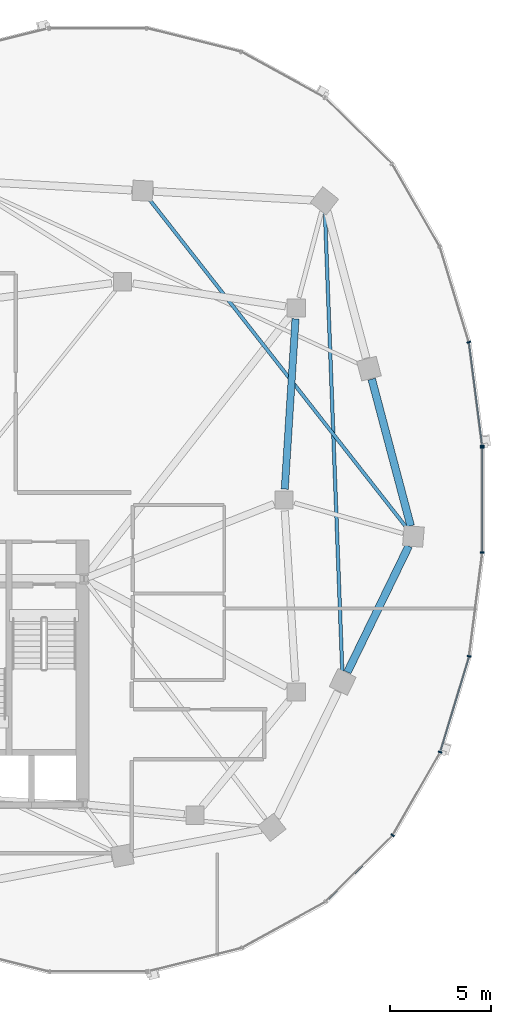
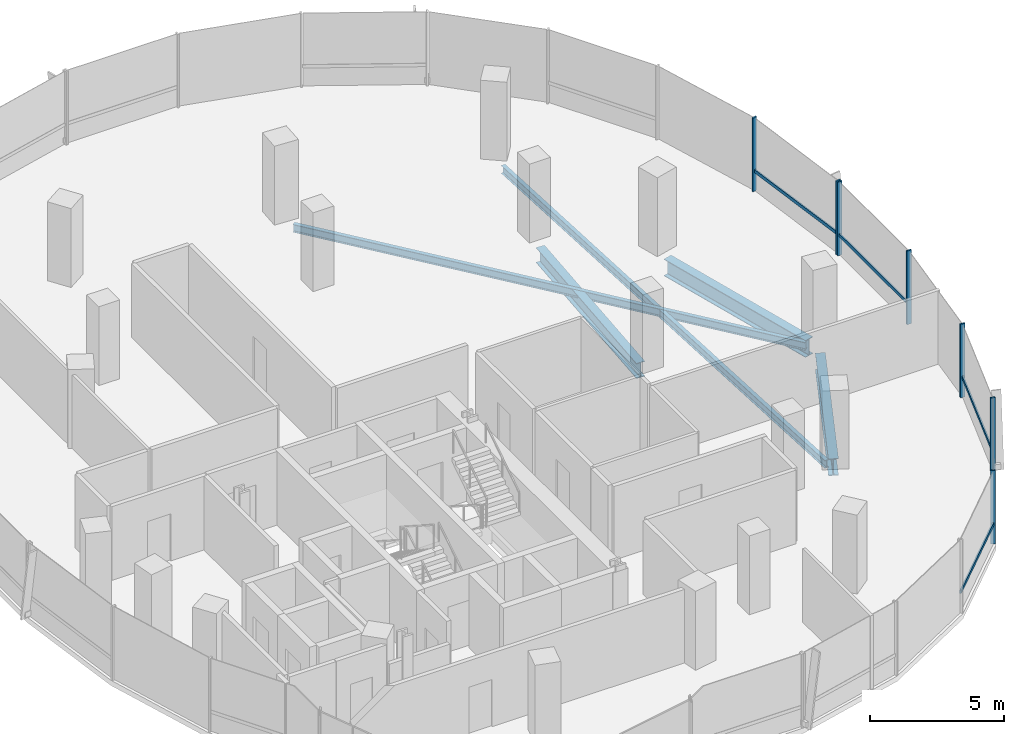
# One storey, part 8 of 22: 11 members, 5 beams, 2 elements without a shape of their own.
"""IFC4 building model written with IfcOpenShell, lengths in metres."""

from ifc_helpers import new_model, si_unit, direction, frame, origin, origin_2d, place, context, subcontext, project, spatial, rectangle, i_section, extrude, material, material_profile, profile_set, type_object, element, aggregate, save


model = new_model("IFC4")

# Units and contexts
model_context = context("Model", 3, precision=1e-05, world=origin(), true_north=direction((0.0, 1.0)))
body_context = subcontext(model_context, "Body", "Model", "MODEL_VIEW")
ifc_project = project(units=[si_unit("LENGTHUNIT", "METRE"), si_unit("AREAUNIT", "SQUARE_METRE"), si_unit("VOLUMEUNIT", "CUBIC_METRE"), si_unit("PLANEANGLEUNIT", "RADIAN"), si_unit("MASSUNIT", "GRAM", prefix="KILO"), si_unit("THERMODYNAMICTEMPERATUREUNIT", "KELVIN"), si_unit("POWERUNIT", "WATT")], contexts=[model_context])

# Site, building, storey
site_placement = place(None, origin())
site = spatial("IfcSite", under=ifc_project, at=site_placement, CompositionType="ELEMENT")
building_placement = place(site_placement, origin())
building = spatial("IfcBuilding", under=site, at=building_placement, Name="Cundina Bronze Exchange", CompositionType="ELEMENT")
storey_placement = place(building_placement, frame((0.0, 0.0, 136.800048828125)))
storey = spatial("IfcBuildingStorey", under=building, at=storey_placement, Name="L35", CompositionType="ELEMENT", Elevation=136.800048828125)

# Beams
ifc_material_1 = material(Name="Steel ASTM A992 Grade 50", Category="steel")
ifc_material_profile_1 = material_profile(ifc_material_1, i_section(OverallWidth=0.172119140625, OverallDepth=0.35791015625, WebThickness=0.0078125, FlangeThickness=0.01318359375, FilletRadius=0.010009765625, at=origin_2d()), Name="W14X38", Category="steel")
ifc_profile_set_1 = profile_set([ifc_material_profile_1], Name="Steel ASTM A992 Grade 50")
beam_type_1 = type_object("IfcBeamType", Name="BM-JST-W14", PredefinedType="JOIST", material=ifc_profile_set_1)
beam_1_placement = place(storey_placement, frame((44.07958984375, -8.46240234375, -0.4189453125), z_axis=(-0.03778951385, 0.999285721224, 0.0), x_axis=(-0.999285721224, -0.03778951385, 0.0)))
element("IfcBeam", 1, at=beam_1_placement, inside=storey, type_object=beam_type_1, Name="L35 Leg E Lobe Floor Joist 07-10", PredefinedType="JOIST", context=body_context, shape_type="SweptSolid", body=[
    extrude(i_section(OverallWidth=0.172119140625, OverallDepth=0.35791015625, WebThickness=0.0078125, FlangeThickness=0.01318359375, FilletRadius=0.010009765625, at=origin_2d()), origin(), (0.0, 0.0, 1.0), 22.7412109375),
])
beam_2_placement = place(storey_placement, frame((47.268310546875, -1.37646484375, -0.4189453125), z_axis=(-0.616815348306, 0.787107887201, 0.0), x_axis=(-0.787107887201, -0.616815348306, 0.0)))
element("IfcBeam", 2, at=beam_2_placement, inside=storey, type_object=beam_type_1, Name="L35 Leg E Lobe Floor Joist 08-11", PredefinedType="JOIST", context=body_context, shape_type="SweptSolid", body=[
    extrude(i_section(OverallWidth=0.172119140625, OverallDepth=0.35791015625, WebThickness=0.0078125, FlangeThickness=0.01318359375, FilletRadius=0.010009765625, at=origin_2d()), origin(), (0.0, 0.0, 1.0), 20.64892578125),
])
ifc_material_profile_2 = material_profile(ifc_material_1, i_section(OverallWidth=0.35498046875, OverallDepth=0.695068359375, WebThickness=0.015380859375, FlangeThickness=0.02490234375, FilletRadius=0.01806640625, at=origin_2d()), Name="W27X146", Category="steel")
ifc_profile_set_2 = profile_set([ifc_material_profile_2], Name="Steel ASTM A992 Grade 50")
beam_type_2 = type_object("IfcBeamType", Name="BM-RING-W27", PredefinedType="USERDEFINED", material=ifc_profile_set_2)
beam_3_placement = place(storey_placement, frame((41.23388671875, 0.536865234375, -0.587646484375), z_axis=(0.06303715519, 0.998011180832, 0.0), x_axis=(-0.998011180832, 0.06303715519, 0.0)))
element("IfcBeam", 3, at=beam_3_placement, inside=storey, type_object=beam_type_2, Name="L35 E Inner Structural Ring Girder 04", ObjectType="GIRDER", PredefinedType="USERDEFINED", context=body_context, shape_type="SweptSolid", body=[
    extrude(i_section(OverallWidth=0.35498046875, OverallDepth=0.695068359375, WebThickness=0.015380859375, FlangeThickness=0.02490234375, FilletRadius=0.01806640625, at=origin_2d()), origin(), (0.0, 0.0, 1.0), 8.443115234375),
])
ifc_material_profile_3 = material_profile(ifc_material_1, i_section(OverallWidth=0.381103515625, OverallDepth=0.77294921875, WebThickness=0.0166015625, FlangeThickness=0.027099609375, FilletRadius=0.01904296875, at=origin_2d()), Name="W30X173", Category="steel")
ifc_profile_set_3 = profile_set([ifc_material_profile_3], Name="Steel ASTM A992 Grade 50")
beam_type_3 = type_object("IfcBeamType", Name="BM-RING-W30", PredefinedType="USERDEFINED", material=ifc_profile_set_3)
beam_4_placement = place(storey_placement, frame((44.335205078125, -8.51611328125, -0.62646484375), z_axis=(0.437193894283, 0.899367276924, 0.0), x_axis=(-0.899367276924, 0.437193894283, 0.0)))
element("IfcBeam", 4, at=beam_4_placement, inside=storey, type_object=beam_type_3, Name="L35 E Perimeter Ring Girder 07", ObjectType="GIRDER", PredefinedType="USERDEFINED", context=body_context, shape_type="SweptSolid", body=[
    extrude(i_section(OverallWidth=0.381103515625, OverallDepth=0.77294921875, WebThickness=0.0166015625, FlangeThickness=0.027099609375, FilletRadius=0.01904296875, at=origin_2d()), origin(), (0.0, 0.0, 1.0), 6.929443359375),
])
beam_5_placement = place(storey_placement, frame((47.462158203125, -1.280029296875, -0.62646484375), z_axis=(-0.256209719931, 0.966621218168, 0.0), x_axis=(-0.966621218168, -0.256209719931, 0.0)))
element("IfcBeam", 5, at=beam_5_placement, inside=storey, type_object=beam_type_3, Name="L35 E Perimeter Ring Girder 08", ObjectType="GIRDER", PredefinedType="USERDEFINED", context=body_context, shape_type="SweptSolid", body=[
    extrude(i_section(OverallWidth=0.381103515625, OverallDepth=0.77294921875, WebThickness=0.0166015625, FlangeThickness=0.027099609375, FilletRadius=0.01904296875, at=origin_2d()), origin(), (0.0, 0.0, 1.0), 7.5107421875),
])

# Curtain wall, members
ifc_material_2 = material(Name="Anodised Bronze Aluminium 6063-T6", Category="aluminium")
curtain_wall_type = type_object("IfcCurtainWallType", Name="CWS-WST-PIN", PredefinedType="NOTDEFINED", material=ifc_material_2)
curtain_wall_1_placement = place(storey_placement, origin())
curtain_wall_1 = element("IfcCurtainWall", 6, at=curtain_wall_1_placement, inside=storey, type_object=curtain_wall_type, Name="L35 CW-04 Curtain Wall Run CWR-L35-E1", PredefinedType="NOTDEFINED")
ifc_material_profile_4 = material_profile(ifc_material_2, rectangle(XDim=0.070068359375, YDim=0.18994140625, at=origin_2d()), Name="AL70X190", Category="aluminium")
ifc_profile_set_4 = profile_set([ifc_material_profile_4], Name="Anodised Bronze Aluminium 6063-T6")
member_type_1 = type_object("IfcMemberType", Name="CWM-MUL-190", PredefinedType="MULLION", material=ifc_profile_set_4)
member_1_placement = place(storey_placement, frame((51.001708984375, 2.676025390625, 0.0), z_axis=(0.0, 0.0, 1.0), x_axis=(-0.126545236492, 0.991960837494, 0.0)))
member_1 = element("IfcMember", 7, at=member_1_placement, type_object=member_type_1, Name="CW-04 Mullion 1", PredefinedType="MULLION", context=body_context, shape_type="SweptSolid", body=[
    extrude(rectangle(XDim=0.070068359375, YDim=0.18994140625, at=origin_2d()), origin(), (0.0, 0.0, 1.0), 3.35986328125),
])
member_2_placement = place(storey_placement, frame((50.3408203125, 7.80859375, 0.0), z_axis=(0.0, 0.0, 1.0), x_axis=(-0.290034140915, 0.957016299288, 0.0)))
member_2 = element("IfcMember", 8, at=member_2_placement, type_object=member_type_1, Name="CW-04 Mullion 2", PredefinedType="MULLION", context=body_context, shape_type="SweptSolid", body=[
    extrude(rectangle(XDim=0.070068359375, YDim=0.18994140625, at=origin_2d()), origin(), (0.0, 0.0, 1.0), 3.35986328125),
])

curtain_wall_2_placement = place(storey_placement, origin())
curtain_wall_2 = element("IfcCurtainWall", 9, at=curtain_wall_2_placement, inside=storey, type_object=curtain_wall_type, Name="L35 CW-04 Curtain Wall Run CWR-L35-E4", PredefinedType="NOTDEFINED")
member_3_placement = place(storey_placement, frame((46.57080078125, -16.588134765625, 0.0), z_axis=(0.0, 0.0, 1.0), x_axis=(0.498487739754, 0.866896748936, 0.0)))
member_3 = element("IfcMember", 10, at=member_3_placement, type_object=member_type_1, Name="CW-04 Mullion 4", PredefinedType="MULLION", context=body_context, shape_type="SweptSolid", body=[
    extrude(rectangle(XDim=0.070068359375, YDim=0.18994140625, at=origin_2d()), origin(), (0.0, 0.0, 1.0), 3.35986328125),
])
member_4_placement = place(storey_placement, frame((48.92626953125, -12.4755859375, 0.0), z_axis=(0.0, 0.0, 1.0), x_axis=(0.290034140915, 0.957016299288, 0.0)))
member_4 = element("IfcMember", 11, at=member_4_placement, type_object=member_type_1, Name="CW-04 Mullion 5", PredefinedType="MULLION", context=body_context, shape_type="SweptSolid", body=[
    extrude(rectangle(XDim=0.070068359375, YDim=0.18994140625, at=origin_2d()), origin(), (0.0, 0.0, 1.0), 3.35986328125),
])
member_5_placement = place(storey_placement, frame((50.357177734375, -7.731689453125, 0.0), z_axis=(0.0, 0.0, 1.0), x_axis=(0.126545236492, 0.991960837494, 0.0)))
member_5 = element("IfcMember", 12, at=member_5_placement, type_object=member_type_1, Name="CW-04 Mullion 6", PredefinedType="MULLION", context=body_context, shape_type="SweptSolid", body=[
    extrude(rectangle(XDim=0.070068359375, YDim=0.18994140625, at=origin_2d()), origin(), (0.0, 0.0, 1.0), 3.35986328125),
])
member_6_placement = place(storey_placement, frame((51.007080078125, -2.593017578125, 0.0), z_axis=(0.0, 0.0, 1.0), x_axis=(0.0, 1.0, 0.0)))
member_6 = element("IfcMember", 13, at=member_6_placement, type_object=member_type_1, Name="CW-04 Mullion 7", PredefinedType="MULLION", context=body_context, shape_type="SweptSolid", body=[
    extrude(rectangle(XDim=0.070068359375, YDim=0.18994140625, at=origin_2d()), origin(), (0.0, 0.0, 1.0), 3.35986328125),
])
member_7_placement = place(storey_placement, frame((51.007080078125, 2.593017578125, 0.0), z_axis=(0.0, 0.0, 1.0), x_axis=(0.0, 1.0, 0.0)))
member_7 = element("IfcMember", 14, at=member_7_placement, type_object=member_type_1, Name="CW-04 End Mullion", PredefinedType="MULLION", context=body_context, shape_type="SweptSolid", body=[
    extrude(rectangle(XDim=0.070068359375, YDim=0.18994140625, at=origin_2d()), origin(), (0.0, 0.0, 1.0), 3.35986328125),
])

# Member
ifc_material_profile_5 = material_profile(ifc_material_2, rectangle(XDim=0.06494140625, YDim=0.14990234375, at=origin_2d()), Name="AL65X150", Category="aluminium")
ifc_profile_set_5 = profile_set([ifc_material_profile_5], Name="Anodised Bronze Aluminium 6063-T6")
member_type_2 = type_object("IfcMemberType", Name="CWM-TRN-150", PredefinedType="USERDEFINED", material=ifc_profile_set_5)
member_8_placement = place(storey_placement, frame((50.996826171875, 2.71435546875, 0.919921875), z_axis=(-0.12646340362, 0.991971273548, 0.0), x_axis=(-0.991971273548, -0.12646340362, 0.0)))
member_8 = element("IfcMember", 15, at=member_8_placement, type_object=member_type_2, Name="CW-04 Spandrel Transom 1", ObjectType="TRANSOM", PredefinedType="USERDEFINED", context=body_context, shape_type="SweptSolid", body=[
    extrude(rectangle(XDim=0.06494140625, YDim=0.14990234375, at=origin_2d()), origin(), (0.0, 0.0, 1.0), 5.0966796875),
])

aggregate(curtain_wall_1, [member_1, member_8, member_2])

member_9_placement = place(storey_placement, frame((43.28662109375, -19.839599609375, 0.919921875), z_axis=(0.712005023839, 0.702174370102, 0.0), x_axis=(-0.702174370102, 0.712005023839, 0.0)))
member_9 = element("IfcMember", 16, at=member_9_placement, type_object=member_type_2, Name="CW-04 Spandrel Transom 3", ObjectType="TRANSOM", PredefinedType="USERDEFINED", context=body_context, shape_type="SweptSolid", body=[
    extrude(rectangle(XDim=0.06494140625, YDim=0.14990234375, at=origin_2d()), origin(), (0.0, 0.0, 1.0), 4.594482421875),
])

member_10_placement = place(storey_placement, frame((48.937255859375, -12.43896484375, 0.919921875), z_axis=(0.290051855969, 0.957010930371, 0.0), x_axis=(-0.957010930371, 0.290051855969, 0.0)))
member_10 = element("IfcMember", 17, at=member_10_placement, type_object=member_type_2, Name="CW-04 Spandrel Transom 5", ObjectType="TRANSOM", PredefinedType="USERDEFINED", context=body_context, shape_type="SweptSolid", body=[
    extrude(rectangle(XDim=0.06494140625, YDim=0.14990234375, at=origin_2d()), origin(), (0.0, 0.0, 1.0), 4.876953125),
])

member_11_placement = place(storey_placement, frame((51.007080078125, -2.554443359375, 0.919921875), z_axis=(0.0, 1.0, 0.0), x_axis=(-1.0, 0.0, 0.0)))
member_11 = element("IfcMember", 18, at=member_11_placement, type_object=member_type_2, Name="CW-04 Spandrel Transom 7", ObjectType="TRANSOM", PredefinedType="USERDEFINED", context=body_context, shape_type="SweptSolid", body=[
    extrude(rectangle(XDim=0.06494140625, YDim=0.14990234375, at=origin_2d()), origin(), (0.0, 0.0, 1.0), 5.10888671875),
])

aggregate(curtain_wall_2, [member_9, member_3, member_4, member_10, member_5, member_6, member_7, member_11])

save(model, "model.ifc")
